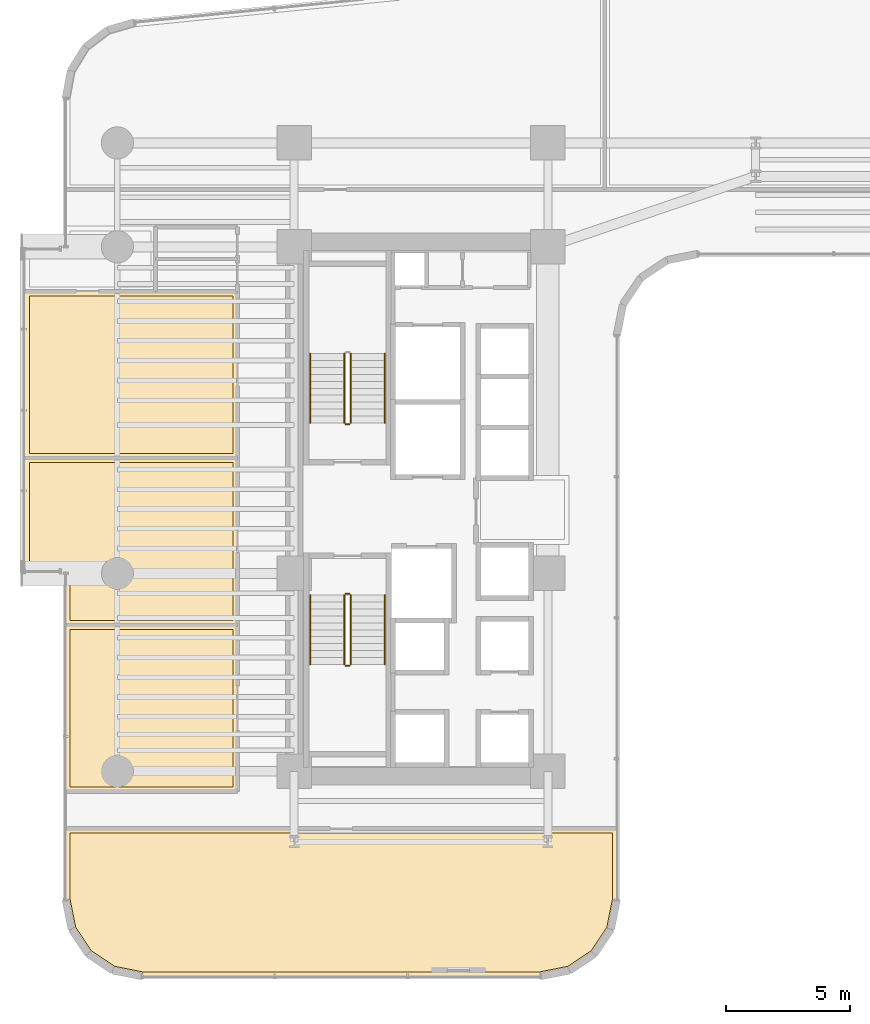
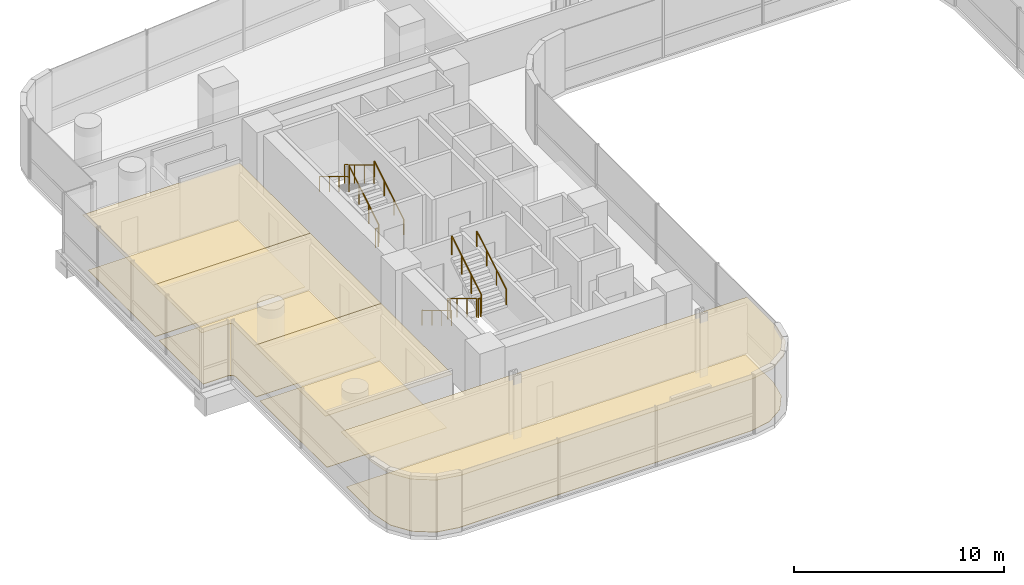
# One storey, part 35 of 39: 11 railings, 8 coverings.
"""IFC4 building model written with IfcOpenShell, lengths in metres."""

from ifc_helpers import new_model, si_unit, direction, frame, origin, origin_2d, place, context, subcontext, project, spatial, polyline, circle, outline, extrude, material, layer, layer_set, type_object, element, save


model = new_model("IFC4")

# Units and contexts
model_context = context("Model", 3, precision=1e-05, world=origin(), true_north=direction((0.0, 1.0)))
body_context = subcontext(model_context, "Body", "Model", "MODEL_VIEW")
ifc_project = project(units=[si_unit("LENGTHUNIT", "METRE"), si_unit("AREAUNIT", "SQUARE_METRE"), si_unit("VOLUMEUNIT", "CUBIC_METRE"), si_unit("PLANEANGLEUNIT", "RADIAN"), si_unit("MASSUNIT", "GRAM", prefix="KILO")], contexts=[model_context])

# Site, building, storey
site_placement = place(None, origin())
site = spatial("IfcSite", under=ifc_project, at=site_placement, CompositionType="ELEMENT")
building_placement = place(site_placement, origin())
building = spatial("IfcBuilding", under=site, at=building_placement, Name="Valdorenza Pilgrim Sanctuary Tower", CompositionType="ELEMENT")
storey_placement = place(building_placement, frame((0.0, 0.0, 74.10009765625)))
storey = spatial("IfcBuildingStorey", under=building, at=storey_placement, Name="L18", CompositionType="ELEMENT", Elevation=74.10009765625)

# Coverings
ifc_material_1 = material(Name="Micro-perforated acoustic mineral ceiling tile", Category="gypsum")
ifc_layer_1 = layer(ifc_material_1, 0.02490234375, Name="Micro-perforated acoustic mineral ceiling tile")
ifc_layer_set_1 = layer_set([ifc_layer_1], Name="Micro-perforated acoustic mineral ceiling tile")
covering_type_1 = type_object("IfcCoveringType", Name="COV-CLG-ACU", PredefinedType="CEILING", material=ifc_layer_set_1)
covering_1_placement = place(storey_placement, frame((0.0, 0.0, 3.159912109375)))
element("IfcCovering", 1, at=covering_1_placement, inside=storey, type_object=covering_type_1, Name="L18 Main Pilgrim Dining Restaurant L18 Acoustic Ceiling", PredefinedType="CEILING", context=body_context, shape_type="SweptSolid", body=[
    extrude(outline(polyline([(-24.93505859375, -11.419921875), (-24.93505859375, -11.42138671875), (-24.935302734375, -11.4228515625), (-24.935546875, -11.42431640625), (-24.93603515625, -11.42578125), (-24.936767578125, -11.427001953125), (-24.9375, -11.42822265625), (-24.9384765625, -11.429443359375), (-24.939453125, -11.4306640625), (-24.9404296875, -11.431640625), (-24.941650390625, -11.4326171875), (-24.94287109375, -11.43310546875), (-24.9443359375, -11.433837890625), (-24.945556640625, -11.434326171875), (-24.947021484375, -11.434814453125), (-24.948486328125, -11.434814453125), (-24.949951171875, -11.43505859375), (-31.889892578125, -11.43505859375), (-31.8916015625, -11.434814453125), (-31.892822265625, -11.434814453125), (-31.894287109375, -11.434326171875), (-31.895751953125, -11.433837890625), (-31.897216796875, -11.43310546875), (-31.898193359375, -11.4326171875), (-31.8994140625, -11.431640625), (-31.900634765625, -11.4306640625), (-31.901611328125, -11.429443359375), (-31.902587890625, -11.42822265625), (-31.9033203125, -11.427001953125), (-31.90380859375, -11.42578125), (-31.904296875, -11.42431640625), (-31.90478515625, -11.4228515625), (-31.90478515625, -11.42138671875), (-31.905029296875, -11.419921875), (-31.905029296875, -4.679931640625), (-31.90478515625, -4.678466796875), (-31.90478515625, -4.677001953125), (-31.904296875, -4.675537109375), (-31.90380859375, -4.67431640625), (-31.9033203125, -4.6728515625), (-31.902587890625, -4.671630859375), (-31.901611328125, -4.67041015625), (-31.900634765625, -4.66943359375), (-31.8994140625, -4.66845703125), (-31.898193359375, -4.66748046875), (-31.897216796875, -4.666748046875), (-31.895751953125, -4.666015625), (-31.894287109375, -4.66552734375), (-31.892822265625, -4.665283203125), (-31.8916015625, -4.6650390625), (-31.889892578125, -4.6650390625), (-24.949951171875, -4.6650390625), (-24.948486328125, -4.6650390625), (-24.947021484375, -4.665283203125), (-24.945556640625, -4.66552734375), (-24.9443359375, -4.666015625), (-24.94287109375, -4.666748046875), (-24.941650390625, -4.66748046875), (-24.9404296875, -4.66845703125), (-24.939453125, -4.66943359375), (-24.9384765625, -4.67041015625), (-24.9375, -4.671630859375), (-24.936767578125, -4.6728515625), (-24.93603515625, -4.67431640625), (-24.935546875, -4.675537109375), (-24.935302734375, -4.677001953125), (-24.93505859375, -4.678466796875), (-24.93505859375, -4.679931640625), (-24.93505859375, -11.419921875)])), origin(), (0.0, 0.0, 1.0), 0.02490234375),
])
covering_2_placement = place(storey_placement, frame((0.0, 0.0, 3.159912109375)))
element("IfcCovering", 2, at=covering_2_placement, inside=storey, type_object=covering_type_1, Name="L18 Commercial Refectory Kitchen L18 Acoustic Ceiling", PredefinedType="CEILING", context=body_context, shape_type="SweptSolid", body=[
    extrude(outline(polyline([(-24.93505859375, -4.677978515625), (-24.93505859375, -4.679443359375), (-24.935302734375, -4.680908203125), (-24.935546875, -4.682373046875), (-24.93603515625, -4.68359375), (-24.936767578125, -4.68505859375), (-24.9375, -4.686279296875), (-24.9384765625, -4.6875), (-24.939453125, -4.688720703125), (-24.9404296875, -4.689697265625), (-24.941650390625, -4.6904296875), (-24.94287109375, -4.691162109375), (-24.9443359375, -4.69189453125), (-24.945556640625, -4.6923828125), (-24.947021484375, -4.692626953125), (-24.948486328125, -4.69287109375), (-24.949951171875, -4.693115234375), (-31.889892578125, -4.693115234375), (-31.8916015625, -4.69287109375), (-31.892822265625, -4.692626953125), (-31.894287109375, -4.6923828125), (-31.895751953125, -4.69189453125), (-31.897216796875, -4.691162109375), (-31.898193359375, -4.6904296875), (-31.8994140625, -4.689697265625), (-31.900634765625, -4.688720703125), (-31.901611328125, -4.6875), (-31.902587890625, -4.686279296875), (-31.9033203125, -4.68505859375), (-31.90380859375, -4.68359375), (-31.904296875, -4.682373046875), (-31.90478515625, -4.680908203125), (-31.90478515625, -4.679443359375), (-31.905029296875, -4.677978515625), (-31.905029296875, -2.600341796875), (-31.905517578125, -2.5908203125), (-31.90673828125, -2.58154296875), (-31.9091796875, -2.572509765625), (-31.912109375, -2.563720703125), (-31.916259765625, -2.55517578125), (-31.9208984375, -2.547119140625), (-31.926513671875, -2.539794921875), (-31.932861328125, -2.53271484375), (-31.939697265625, -2.526611328125), (-31.947265625, -2.52099609375), (-31.955078125, -2.51611328125), (-31.963623046875, -2.51220703125), (-31.972412109375, -2.509033203125), (-31.9814453125, -2.5068359375), (-31.99072265625, -2.505615234375), (-32.00048828125, -2.5048828125), (-33.5400390625, -2.5048828125), (-33.54150390625, -2.5048828125), (-33.54296875, -2.504638671875), (-33.54443359375, -2.50439453125), (-33.545654296875, -2.50390625), (-33.547119140625, -2.503173828125), (-33.54833984375, -2.50244140625), (-33.549560546875, -2.501708984375), (-33.550537109375, -2.50048828125), (-33.551513671875, -2.49951171875), (-33.552490234375, -2.498291015625), (-33.55322265625, -2.4970703125), (-33.553955078125, -2.49560546875), (-33.554443359375, -2.494384765625), (-33.5546875, -2.492919921875), (-33.554931640625, -2.491455078125), (-33.554931640625, -2.489990234375), (-33.554931640625, 2.06005859375), (-33.554931640625, 2.0615234375), (-33.5546875, 2.06298828125), (-33.554443359375, 2.064453125), (-33.553955078125, 2.065673828125), (-33.55322265625, 2.067138671875), (-33.552490234375, 2.068359375), (-33.551513671875, 2.069580078125), (-33.550537109375, 2.070556640625), (-33.549560546875, 2.071533203125), (-33.54833984375, 2.072509765625), (-33.547119140625, 2.0732421875), (-33.545654296875, 2.073974609375), (-33.54443359375, 2.074462890625), (-33.54296875, 2.07470703125), (-33.54150390625, 2.074951171875), (-33.5400390625, 2.074951171875), (-24.949951171875, 2.074951171875), (-24.948486328125, 2.074951171875), (-24.947021484375, 2.07470703125), (-24.945556640625, 2.074462890625), (-24.9443359375, 2.073974609375), (-24.94287109375, 2.0732421875), (-24.941650390625, 2.072509765625), (-24.9404296875, 2.071533203125), (-24.939453125, 2.070556640625), (-24.9384765625, 2.069580078125), (-24.9375, 2.068359375), (-24.936767578125, 2.067138671875), (-24.93603515625, 2.065673828125), (-24.935546875, 2.064453125), (-24.935302734375, 2.06298828125), (-24.93505859375, 2.0615234375), (-24.93505859375, 2.06005859375), (-24.93505859375, -4.677978515625)])), origin(), (0.0, 0.0, 1.0), 0.02490234375),
])
covering_3_placement = place(storey_placement, frame((0.0, 0.0, 3.159912109375)))
element("IfcCovering", 3, at=covering_3_placement, inside=storey, type_object=covering_type_1, Name="L18 Private Banquet Dining Room L18 Acoustic Ceiling", PredefinedType="CEILING", context=body_context, shape_type="SweptSolid", body=[
    extrude(outline(polyline([(-28.253662109375, 8.81298828125), (-28.253173828125, 8.81298828125), (-28.25146484375, 8.813232421875), (-28.25, 8.813232421875), (-28.24853515625, 8.81298828125), (-28.248291015625, 8.81298828125), (-24.949951171875, 8.81298828125), (-24.948486328125, 8.81298828125), (-24.947021484375, 8.812744140625), (-24.945556640625, 8.8125), (-24.9443359375, 8.81201171875), (-24.94287109375, 8.811279296875), (-24.941650390625, 8.810546875), (-24.9404296875, 8.8095703125), (-24.939453125, 8.80859375), (-24.9384765625, 8.8076171875), (-24.9375, 8.806396484375), (-24.936767578125, 8.80517578125), (-24.93603515625, 8.8037109375), (-24.935546875, 8.802490234375), (-24.935302734375, 8.80078125), (-24.93505859375, 8.799560546875), (-24.93505859375, 8.798095703125), (-24.93505859375, 2.06201171875), (-24.93505859375, 2.060546875), (-24.935302734375, 2.05908203125), (-24.935546875, 2.0576171875), (-24.93603515625, 2.056396484375), (-24.936767578125, 2.054931640625), (-24.9375, 2.0537109375), (-24.9384765625, 2.052490234375), (-24.939453125, 2.051513671875), (-24.9404296875, 2.05029296875), (-24.941650390625, 2.049560546875), (-24.94287109375, 2.048828125), (-24.9443359375, 2.048095703125), (-24.945556640625, 2.047607421875), (-24.947021484375, 2.04736328125), (-24.948486328125, 2.047119140625), (-24.949951171875, 2.047119140625), (-33.5400390625, 2.047119140625), (-33.54150390625, 2.047119140625), (-33.54296875, 2.04736328125), (-33.54443359375, 2.047607421875), (-33.545654296875, 2.048095703125), (-33.547119140625, 2.048828125), (-33.54833984375, 2.049560546875), (-33.549560546875, 2.05029296875), (-33.550537109375, 2.051513671875), (-33.551513671875, 2.052490234375), (-33.552490234375, 2.0537109375), (-33.55322265625, 2.054931640625), (-33.553955078125, 2.056396484375), (-33.554443359375, 2.0576171875), (-33.5546875, 2.05908203125), (-33.554931640625, 2.060546875), (-33.554931640625, 2.06201171875), (-33.554931640625, 8.798095703125), (-33.554931640625, 8.799560546875), (-33.5546875, 8.80078125), (-33.554443359375, 8.802490234375), (-33.553955078125, 8.8037109375), (-33.55322265625, 8.80517578125), (-33.552490234375, 8.806396484375), (-33.551513671875, 8.8076171875), (-33.550537109375, 8.80859375), (-33.549560546875, 8.8095703125), (-33.54833984375, 8.810546875), (-33.547119140625, 8.811279296875), (-33.545654296875, 8.81201171875), (-33.54443359375, 8.8125), (-33.54296875, 8.812744140625), (-33.54150390625, 8.81298828125), (-33.5400390625, 8.81298828125), (-28.253662109375, 8.81298828125)])), origin(), (0.0, 0.0, 1.0), 0.02490234375),
])
covering_4_placement = place(storey_placement, frame((0.0, 0.0, 3.159912109375)))
element("IfcCovering", 4, at=covering_4_placement, inside=storey, type_object=covering_type_1, Name="L18 Retreat Discussion Room L18-S1 Acoustic Ceiling", PredefinedType="CEILING", context=body_context, shape_type="SweptSolid", body=[
    extrude(outline(polyline([(-9.594970703125, -15.789306640625), (-9.59521484375, -15.79052734375), (-9.59521484375, -15.7919921875), (-9.83251953125, -16.984619140625), (-9.8330078125, -16.986083984375), (-9.83349609375, -16.9873046875), (-9.833984375, -16.98876953125), (-9.834716796875, -16.989990234375), (-10.504150390625, -17.99169921875), (-10.5048828125, -17.992919921875), (-10.506103515625, -17.993896484375), (-10.507080078125, -17.9951171875), (-10.50830078125, -17.995849609375), (-11.510009765625, -18.665283203125), (-11.51123046875, -18.666015625), (-11.5126953125, -18.66650390625), (-11.513916015625, -18.6669921875), (-11.515380859375, -18.66748046875), (-12.7080078125, -18.90478515625), (-12.70947265625, -18.90478515625), (-12.710693359375, -18.905029296875), (-28.789306640625, -18.905029296875), (-28.79052734375, -18.90478515625), (-28.7919921875, -18.90478515625), (-29.984619140625, -18.66748046875), (-29.986083984375, -18.6669921875), (-29.9873046875, -18.66650390625), (-29.98876953125, -18.666015625), (-29.989990234375, -18.665283203125), (-30.99169921875, -17.995849609375), (-30.992919921875, -17.9951171875), (-30.993896484375, -17.993896484375), (-30.9951171875, -17.992919921875), (-30.995849609375, -17.99169921875), (-31.665283203125, -16.989990234375), (-31.666015625, -16.98876953125), (-31.66650390625, -16.9873046875), (-31.6669921875, -16.986083984375), (-31.66748046875, -16.984619140625), (-31.90478515625, -15.7919921875), (-31.90478515625, -15.79052734375), (-31.905029296875, -15.789306640625), (-31.905029296875, -12.919921875), (-31.90478515625, -12.91845703125), (-31.90478515625, -12.9169921875), (-31.904296875, -12.91552734375), (-31.90380859375, -12.914306640625), (-31.9033203125, -12.912841796875), (-31.902587890625, -12.91162109375), (-31.901611328125, -12.910400390625), (-31.900634765625, -12.909423828125), (-31.8994140625, -12.908447265625), (-31.898193359375, -12.907470703125), (-31.897216796875, -12.90673828125), (-31.895751953125, -12.906005859375), (-31.894287109375, -12.905517578125), (-31.892822265625, -12.9052734375), (-31.8916015625, -12.905029296875), (-31.889892578125, -12.905029296875), (-9.610107421875, -12.905029296875), (-9.6083984375, -12.905029296875), (-9.607177734375, -12.9052734375), (-9.605712890625, -12.905517578125), (-9.604248046875, -12.906005859375), (-9.602783203125, -12.90673828125), (-9.601806640625, -12.907470703125), (-9.6005859375, -12.908447265625), (-9.599365234375, -12.909423828125), (-9.598388671875, -12.910400390625), (-9.597412109375, -12.91162109375), (-9.5966796875, -12.912841796875), (-9.59619140625, -12.914306640625), (-9.595703125, -12.91552734375), (-9.59521484375, -12.9169921875), (-9.59521484375, -12.91845703125), (-9.594970703125, -12.919921875), (-9.594970703125, -15.789306640625)])), origin(), (0.0, 0.0, 1.0), 0.02490234375),
])
ifc_material_2 = material(Name="Engineered European oak timber flooring", Category="wood")
ifc_layer_2 = layer(ifc_material_2, 0.02197265625, Name="Engineered European oak timber flooring")
ifc_layer_set_2 = layer_set([ifc_layer_2], Name="Engineered European oak timber flooring")
covering_type_2 = type_object("IfcCoveringType", Name="COV-FLR-OAK", PredefinedType="FLOORING", material=ifc_layer_set_2)
covering_5_placement = place(storey_placement, origin())
element("IfcCovering", 5, at=covering_5_placement, inside=storey, type_object=covering_type_2, Name="L18 Private Banquet Dining Room L18 Flooring", PredefinedType="FLOORING", context=body_context, shape_type="SweptSolid", body=[
    extrude(outline(polyline([(-28.250244140625, 8.617919921875), (-28.25, 8.617919921875), (-25.1298828125, 8.617919921875), (-25.1298828125, 2.241943359375), (-33.360107421875, 2.241943359375), (-33.360107421875, 8.617919921875), (-28.251953125, 8.617919921875), (-28.2509765625, 8.617919921875), (-28.250244140625, 8.617919921875)])), origin(), (0.0, 0.0, 1.0), 0.02490234375),
])
covering_6_placement = place(storey_placement, origin())
element("IfcCovering", 6, at=covering_6_placement, inside=storey, type_object=covering_type_2, Name="L18 Retreat Discussion Room L18-S1 Flooring", PredefinedType="FLOORING", context=body_context, shape_type="SweptSolid", body=[
    extrude(outline(polyline([(-9.7900390625, -15.771484375), (-10.016845703125, -16.911376953125), (-10.646484375, -17.853515625), (-11.588623046875, -18.483154296875), (-12.728515625, -18.7099609375), (-28.771484375, -18.7099609375), (-29.911376953125, -18.483154296875), (-30.853515625, -17.853515625), (-31.483154296875, -16.911376953125), (-31.7099609375, -15.771484375), (-31.7099609375, -13.10009765625), (-9.7900390625, -13.10009765625), (-9.7900390625, -15.771484375)])), origin(), (0.0, 0.0, 1.0), 0.02490234375),
])
ifc_material_3 = material(Name="Honed travertine stone flooring", Category="masonry")
ifc_layer_3 = layer(ifc_material_3, 0.030029296875, Name="Honed travertine stone flooring")
ifc_layer_set_3 = layer_set([ifc_layer_3], Name="Honed travertine stone flooring")
covering_type_3 = type_object("IfcCoveringType", Name="COV-FLR-TRV", PredefinedType="FLOORING", material=ifc_layer_set_3)
covering_7_placement = place(storey_placement, origin())
element("IfcCovering", 7, at=covering_7_placement, inside=storey, type_object=covering_type_3, Name="L18 Main Pilgrim Dining Restaurant L18 Flooring", PredefinedType="FLOORING", context=body_context, shape_type="SweptSolid", body=[
    extrude(outline(polyline([(-25.1298828125, -11.239990234375), (-31.7099609375, -11.239990234375), (-31.7099609375, -4.860107421875), (-25.1298828125, -4.860107421875), (-25.1298828125, -11.239990234375)])), origin(), (0.0, 0.0, 1.0), 0.02490234375),
])
covering_8_placement = place(storey_placement, origin())
element("IfcCovering", 8, at=covering_8_placement, inside=storey, type_object=covering_type_3, Name="L18 Commercial Refectory Kitchen L18 Flooring", PredefinedType="FLOORING", context=body_context, shape_type="SweptSolid", body=[
    extrude(outline(polyline([(-25.1298828125, -4.498046875), (-31.7099609375, -4.498046875), (-31.7099609375, -2.60009765625), (-31.710205078125, -2.59130859375), (-31.710693359375, -2.580322265625), (-31.71240234375, -2.562744140625), (-31.714111328125, -2.552001953125), (-31.717529296875, -2.534912109375), (-31.72021484375, -2.5244140625), (-31.725341796875, -2.50732421875), (-31.72900390625, -2.497314453125), (-31.735595703125, -2.48095703125), (-31.740234375, -2.47119140625), (-31.74853515625, -2.45556640625), (-31.754150390625, -2.4462890625), (-31.763916015625, -2.431640625), (-31.7705078125, -2.423095703125), (-31.781494140625, -2.4091796875), (-31.788818359375, -2.4013671875), (-31.80126953125, -2.388916015625), (-31.809326171875, -2.381591796875), (-31.822998046875, -2.370361328125), (-31.831787109375, -2.364013671875), (-31.84619140625, -2.35400390625), (-31.855712890625, -2.3486328125), (-31.87109375, -2.34033203125), (-31.880859375, -2.335693359375), (-31.897216796875, -2.328857421875), (-31.907470703125, -2.3251953125), (-31.92431640625, -2.320068359375), (-31.934814453125, -2.3173828125), (-31.9521484375, -2.314208984375), (-31.962890625, -2.3125), (-31.98046875, -2.310791015625), (-31.9912109375, -2.310302734375), (-32.0, -2.31005859375), (-33.360107421875, -2.31005859375), (-33.360107421875, 1.8798828125), (-25.1298828125, 1.8798828125), (-25.1298828125, -4.498046875)])), origin(), (0.0, 0.0, 1.0), 0.02490234375),
])

# Railings
ifc_material_4 = material(Name="Stainless steel Grade 316", Category="steel")
railing_type_1 = type_object("IfcRailingType", Name="RLG-GRD-1120", PredefinedType="GUARDRAIL", material=ifc_material_4)
railing_1_placement = place(storey_placement, frame((-20.3701171875, 3.47998046875, 0.16796875)))
element("IfcRailing", 9, at=railing_1_placement, inside=storey, type_object=railing_type_1, Name="L18 ST-A1 stair guard 1", PredefinedType="GUARDRAIL", context=body_context, shape_type="SweptSolid", body=[
    extrude(circle(Radius=0.02392578125, at=origin_2d()), frame((0.0, 0.0, 1.076171875), z_axis=(0.0, 0.857242210791, 0.514913383045), x_axis=(-1.0, 0.0, 0.0)), (0.0, 0.0, 1.0), 3.266357421875),
    extrude(circle(Radius=0.02099609375, at=origin_2d()), origin(), (0.0, 0.0, 1.0), 1.052001953125),
    extrude(circle(Radius=0.02099609375, at=origin_2d()), frame((0.0, 0.933349609375, 0.560546875)), (0.0, 0.0, 1.0), 1.052001953125),
    extrude(circle(Radius=0.02099609375, at=origin_2d()), frame((0.0, 1.86669921875, 1.121337890625)), (0.0, 0.0, 1.0), 1.052001953125),
    extrude(circle(Radius=0.02099609375, at=origin_2d()), frame((0.0, 2.800048828125, 1.681884765625)), (0.0, 0.0, 1.0), 1.052001953125),
])
railing_2_placement = place(storey_placement, frame((-20.6201171875, 6.280029296875, 2.01806640625)))
element("IfcRailing", 10, at=railing_2_placement, inside=storey, type_object=railing_type_1, Name="L18 ST-A1 stair guard 3", PredefinedType="GUARDRAIL", context=body_context, shape_type="SweptSolid", body=[
    extrude(circle(Radius=0.02392578125, at=origin_2d()), frame((0.0, 0.0, 1.076171875), z_axis=(0.0, -0.857242210791, 0.514913383045), x_axis=(1.0, 0.0, 0.0)), (0.0, 0.0, 1.0), 3.266357421875),
    extrude(circle(Radius=0.02099609375, at=origin_2d()), origin(), (0.0, 0.0, 1.0), 1.052001953125),
    extrude(circle(Radius=0.02099609375, at=origin_2d()), frame((0.0, -0.933349609375, 0.560546875)), (0.0, 0.0, 1.0), 1.052001953125),
    extrude(circle(Radius=0.02099609375, at=origin_2d()), frame((0.0, -1.86669921875, 1.121337890625)), (0.0, 0.0, 1.0), 1.052001953125),
    extrude(circle(Radius=0.02099609375, at=origin_2d()), frame((0.0, -2.800048828125, 1.681884765625)), (0.0, 0.0, 1.0), 1.052001953125),
])
railing_3_placement = place(storey_placement, frame((-20.419921875, 3.429931640625, 0.0)))
element("IfcRailing", 11, at=railing_3_placement, inside=storey, type_object=railing_type_1, Name="L18 ST-A1 stair guard 4", PredefinedType="GUARDRAIL", context=body_context, shape_type="SweptSolid", body=[
    extrude(circle(Radius=0.02392578125, at=origin_2d()), frame((0.0, 0.0, 1.076171875), z_axis=(-1.0, 0.0, 0.0), x_axis=(0.0, -1.0, 0.0)), (0.0, 0.0, 1.0), 0.150146484375),
    extrude(circle(Radius=0.02099609375, at=origin_2d()), origin(), (0.0, 0.0, 1.0), 1.052001953125),
    extrude(circle(Radius=0.02099609375, at=origin_2d()), frame((-0.150146484375, 0.0, 0.0)), (0.0, 0.0, 1.0), 1.052001953125),
])
railing_4_placement = place(storey_placement, frame((-20.6201171875, -3.47998046875, 0.16796875)))
element("IfcRailing", 12, at=railing_4_placement, inside=storey, type_object=railing_type_1, Name="L18 ST-A2 stair guard 1", PredefinedType="GUARDRAIL", context=body_context, shape_type="SweptSolid", body=[
    extrude(circle(Radius=0.02392578125, at=origin_2d()), frame((0.0, 0.0, 1.076171875), z_axis=(0.0, -0.857242210791, 0.514913383045), x_axis=(1.0, 0.0, 0.0)), (0.0, 0.0, 1.0), 3.266357421875),
    extrude(circle(Radius=0.02099609375, at=origin_2d()), origin(), (0.0, 0.0, 1.0), 1.052001953125),
    extrude(circle(Radius=0.02099609375, at=origin_2d()), frame((0.0, -0.933349609375, 0.560546875)), (0.0, 0.0, 1.0), 1.052001953125),
    extrude(circle(Radius=0.02099609375, at=origin_2d()), frame((0.0, -1.86669921875, 1.121337890625)), (0.0, 0.0, 1.0), 1.052001953125),
    extrude(circle(Radius=0.02099609375, at=origin_2d()), frame((0.0, -2.800048828125, 1.681884765625)), (0.0, 0.0, 1.0), 1.052001953125),
])
railing_5_placement = place(storey_placement, frame((-20.570068359375, -6.330078125, 1.849853515625)))
element("IfcRailing", 13, at=railing_5_placement, inside=storey, type_object=railing_type_1, Name="L18 ST-A2 stair guard 2", PredefinedType="GUARDRAIL", context=body_context, shape_type="SweptSolid", body=[
    extrude(circle(Radius=0.02392578125, at=origin_2d()), frame((0.0, 0.0, 1.076171875), z_axis=(1.0, 0.0, 0.0), x_axis=(0.0, 1.0, 0.0)), (0.0, 0.0, 1.0), 0.150146484375),
    extrude(circle(Radius=0.02099609375, at=origin_2d()), origin(), (0.0, 0.0, 1.0), 1.052001953125),
    extrude(circle(Radius=0.02099609375, at=origin_2d()), frame((0.150146484375, 0.0, 0.0)), (0.0, 0.0, 1.0), 1.052001953125),
])
railing_6_placement = place(storey_placement, frame((-20.3701171875, -6.280029296875, 2.01806640625)))
element("IfcRailing", 14, at=railing_6_placement, inside=storey, type_object=railing_type_1, Name="L18 ST-A2 stair guard 3", PredefinedType="GUARDRAIL", context=body_context, shape_type="SweptSolid", body=[
    extrude(circle(Radius=0.02392578125, at=origin_2d()), frame((0.0, 0.0, 1.076171875), z_axis=(0.0, 0.857242210791, 0.514913383045), x_axis=(-1.0, 0.0, 0.0)), (0.0, 0.0, 1.0), 3.266357421875),
    extrude(circle(Radius=0.02099609375, at=origin_2d()), origin(), (0.0, 0.0, 1.0), 1.052001953125),
    extrude(circle(Radius=0.02099609375, at=origin_2d()), frame((0.0, 0.933349609375, 0.560546875)), (0.0, 0.0, 1.0), 1.052001953125),
    extrude(circle(Radius=0.02099609375, at=origin_2d()), frame((0.0, 1.86669921875, 1.121337890625)), (0.0, 0.0, 1.0), 1.052001953125),
    extrude(circle(Radius=0.02099609375, at=origin_2d()), frame((0.0, 2.800048828125, 1.681884765625)), (0.0, 0.0, 1.0), 1.052001953125),
])
railing_7_placement = place(storey_placement, frame((-20.570068359375, -3.429931640625, 0.0)))
element("IfcRailing", 15, at=railing_7_placement, inside=storey, type_object=railing_type_1, Name="L18 ST-A2 stair guard 4", PredefinedType="GUARDRAIL", context=body_context, shape_type="SweptSolid", body=[
    extrude(circle(Radius=0.02392578125, at=origin_2d()), frame((0.0, 0.0, 1.076171875), z_axis=(1.0, 0.0, 0.0), x_axis=(0.0, 1.0, 0.0)), (0.0, 0.0, 1.0), 0.150146484375),
    extrude(circle(Radius=0.02099609375, at=origin_2d()), origin(), (0.0, 0.0, 1.0), 1.052001953125),
    extrude(circle(Radius=0.02099609375, at=origin_2d()), frame((0.150146484375, 0.0, 0.0)), (0.0, 0.0, 1.0), 1.052001953125),
])
ifc_material_5 = material(Name="Brushed stainless steel Grade 316", Category="steel")
railing_type_2 = type_object("IfcRailingType", Name="RLG-HND-920", PredefinedType="HANDRAIL", material=ifc_material_5)
railing_8_placement = place(storey_placement, frame((-18.989990234375, 3.47998046875, 0.16796875)))
element("IfcRailing", 16, at=railing_8_placement, inside=storey, type_object=railing_type_2, Name="L18 ST-A1 stair handrail 1", PredefinedType="HANDRAIL", context=body_context, shape_type="SweptSolid", body=[
    extrude(circle(Radius=0.02392578125, at=origin_2d()), frame((0.0, 0.0, 0.8759765625), z_axis=(0.0, 0.857242210791, 0.514913383045), x_axis=(-1.0, 0.0, 0.0)), (0.0, 0.0, 1.0), 3.266357421875),
    extrude(circle(Radius=0.02099609375, at=origin_2d()), origin(), (0.0, 0.0, 1.0), 0.851806640625),
    extrude(circle(Radius=0.02099609375, at=origin_2d()), frame((0.0, 0.933349609375, 0.560546875)), (0.0, 0.0, 1.0), 0.851806640625),
    extrude(circle(Radius=0.02099609375, at=origin_2d()), frame((0.0, 1.86669921875, 1.121337890625)), (0.0, 0.0, 1.0), 0.851806640625),
    extrude(circle(Radius=0.02099609375, at=origin_2d()), frame((0.0, 2.800048828125, 1.681884765625)), (0.0, 0.0, 1.0), 0.851806640625),
])
for number, where, name in (
    (17, (-22.0, 6.280029296875, 2.01806640625), "L18 ST-A1 stair handrail 2"),
    (18, (-22.0, -3.47998046875, 0.16796875), "L18 ST-A2 stair handrail 1"),
):
    element("IfcRailing", number, at=place(storey_placement, frame(where)), inside=storey, type_object=railing_type_2, Name=name, PredefinedType="HANDRAIL", context=body_context, shape_type="SweptSolid", body=[
        extrude(circle(Radius=0.02392578125, at=origin_2d()), frame((0.0, 0.0, 0.8759765625), z_axis=(0.0, -0.857242210791, 0.514913383045), x_axis=(1.0, 0.0, 0.0)), (0.0, 0.0, 1.0), 3.266357421875),
        extrude(circle(Radius=0.02099609375, at=origin_2d()), origin(), (0.0, 0.0, 1.0), 0.851806640625),
        extrude(circle(Radius=0.02099609375, at=origin_2d()), frame((0.0, -0.933349609375, 0.560546875)), (0.0, 0.0, 1.0), 0.851806640625),
        extrude(circle(Radius=0.02099609375, at=origin_2d()), frame((0.0, -1.86669921875, 1.121337890625)), (0.0, 0.0, 1.0), 0.851806640625),
        extrude(circle(Radius=0.02099609375, at=origin_2d()), frame((0.0, -2.800048828125, 1.681884765625)), (0.0, 0.0, 1.0), 0.851806640625),
    ])
railing_9_placement = place(storey_placement, frame((-18.989990234375, -6.280029296875, 2.01806640625)))
element("IfcRailing", 19, at=railing_9_placement, inside=storey, type_object=railing_type_2, Name="L18 ST-A2 stair handrail 2", PredefinedType="HANDRAIL", context=body_context, shape_type="SweptSolid", body=[
    extrude(circle(Radius=0.02392578125, at=origin_2d()), frame((0.0, 0.0, 0.8759765625), z_axis=(0.0, 0.857242210791, 0.514913383045), x_axis=(-1.0, 0.0, 0.0)), (0.0, 0.0, 1.0), 3.266357421875),
    extrude(circle(Radius=0.02099609375, at=origin_2d()), origin(), (0.0, 0.0, 1.0), 0.851806640625),
    extrude(circle(Radius=0.02099609375, at=origin_2d()), frame((0.0, 0.933349609375, 0.560546875)), (0.0, 0.0, 1.0), 0.851806640625),
    extrude(circle(Radius=0.02099609375, at=origin_2d()), frame((0.0, 1.86669921875, 1.121337890625)), (0.0, 0.0, 1.0), 0.851806640625),
    extrude(circle(Radius=0.02099609375, at=origin_2d()), frame((0.0, 2.800048828125, 1.681884765625)), (0.0, 0.0, 1.0), 0.851806640625),
])

save(model, "model.ifc")
